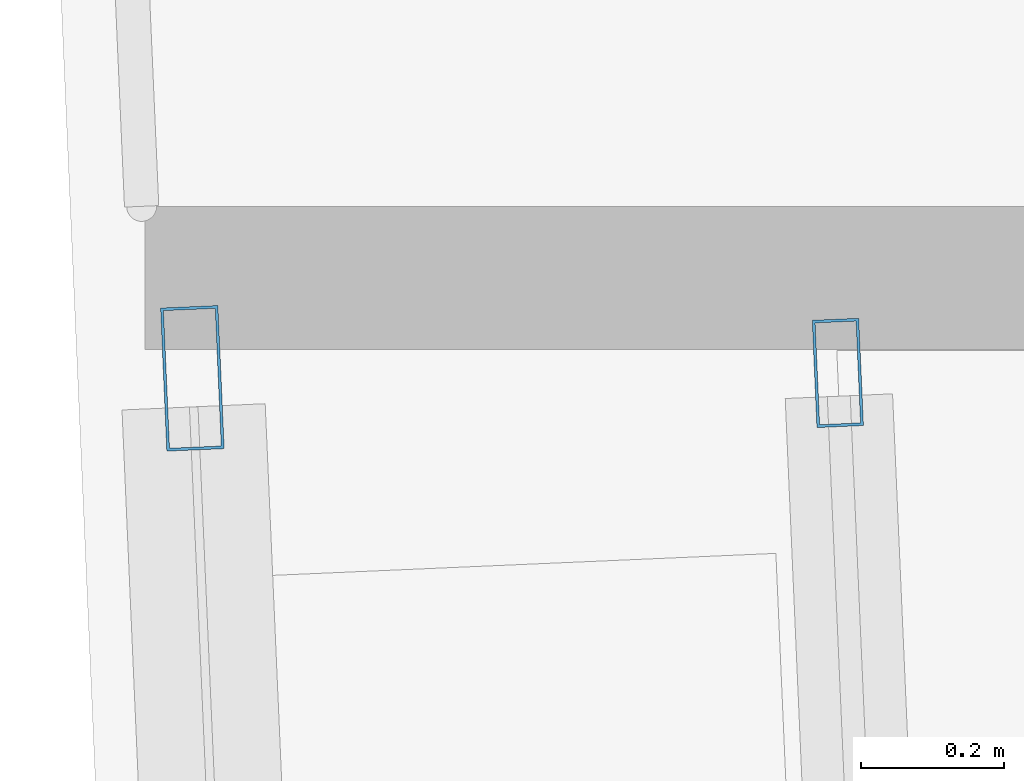
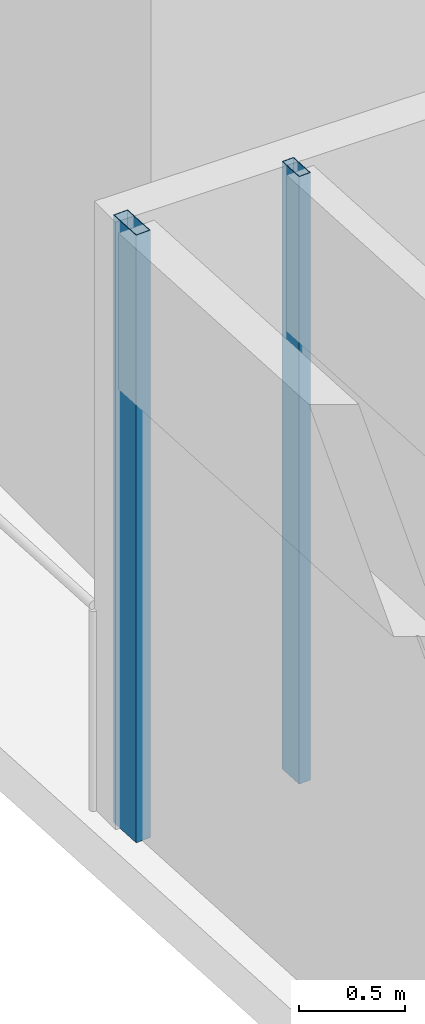
# One storey, part 4 of 42: 2 members, 2 elements without a shape of their own.
"""IFC4 building model written with IfcOpenShell, lengths in metres."""

from ifc_helpers import new_model, si_unit, direction, frame, origin, origin_2d, place, context, subcontext, project, spatial, hollow_rectangle, extrude, material, material_profile, profile_set, type_object, element, aggregate, save


model = new_model("IFC4")

# Units and contexts
model_context = context("Model", 3, precision=1e-05, world=origin(), true_north=direction((0.0, 1.0)))
body_context = subcontext(model_context, "Body", "Model", "MODEL_VIEW")
ifc_project = project(units=[si_unit("LENGTHUNIT", "METRE"), si_unit("AREAUNIT", "SQUARE_METRE"), si_unit("VOLUMEUNIT", "CUBIC_METRE"), si_unit("PLANEANGLEUNIT", "RADIAN"), si_unit("MASSUNIT", "GRAM", prefix="KILO")], contexts=[model_context])

# Site, building, storey
site_placement = place(None, origin())
site = spatial("IfcSite", under=ifc_project, at=site_placement, CompositionType="ELEMENT")
building_placement = place(site_placement, origin())
building = spatial("IfcBuilding", under=site, at=building_placement, Name="Rekha Terrace Tower", CompositionType="ELEMENT")
storey_placement = place(building_placement, frame((0.0, 0.0, 55.39990234375)))
storey = spatial("IfcBuildingStorey", under=building, at=storey_placement, Name="L13", CompositionType="ELEMENT", Elevation=55.39990234375)

# Curtain wall, member
ifc_material_1 = material(Name="Aluminium framing", Category="aluminium")
curtain_wall_type_1 = type_object("IfcCurtainWallType", Name="CW1 double skin inner glazing", PredefinedType="USERDEFINED", material=ifc_material_1)
curtain_wall_1_placement = place(storey_placement, origin())
curtain_wall_1 = element("IfcCurtainWall", 1, at=curtain_wall_1_placement, inside=storey, type_object=curtain_wall_type_1, Name="CW1 double skin inner glazing", ObjectType="DOUBLE SKIN INNER GLAZING", PredefinedType="USERDEFINED")
ifc_material_2 = material(Name="Aluminium mullion section", Category="aluminium")
ifc_material_profile_1 = material_profile(ifc_material_2, hollow_rectangle(XDim=0.06494140625, YDim=0.14990234375, WallThickness=0.00390625, at=origin_2d()), Name="AL RHS 65x150")
ifc_profile_set_1 = profile_set([ifc_material_profile_1], Name="Aluminium mullion section")
member_type_1 = type_object("IfcMemberType", Name="CW1 mullion RHS 65 x 150", PredefinedType="MULLION", material=ifc_profile_set_1)
member_1_placement = place(storey_placement, frame((7.321533203125, 14.364501953125, 0.0), z_axis=(0.0, 0.0, 1.0), x_axis=(0.999045462129, 0.043682543424, 0.0)))
member_1 = element("IfcMember", 2, at=member_1_placement, type_object=member_type_1, Name="CW1 mullion 1", PredefinedType="MULLION", context=body_context, shape_type="SweptSolid", body=[
    extrude(hollow_rectangle(XDim=0.06494140625, YDim=0.14990234375, WallThickness=0.00390625, at=origin_2d()), origin(), (0.0, 0.0, 1.0), 3.5),
])
aggregate(curtain_wall_1, [member_1])

curtain_wall_type_2 = type_object("IfcCurtainWallType", Name="CW2 double skin outer glazing", PredefinedType="USERDEFINED", material=ifc_material_1)
curtain_wall_2_placement = place(storey_placement, origin())
curtain_wall_2 = element("IfcCurtainWall", 3, at=curtain_wall_2_placement, inside=storey, type_object=curtain_wall_type_2, Name="CW2 double skin outer glazing", ObjectType="DOUBLE SKIN OUTER GLAZING", PredefinedType="USERDEFINED")
ifc_material_profile_2 = material_profile(ifc_material_2, hollow_rectangle(XDim=0.080078125, YDim=0.199951171875, WallThickness=0.00390625, at=origin_2d()), Name="AL RHS 80x200")
ifc_profile_set_2 = profile_set([ifc_material_profile_2], Name="Aluminium mullion section")
member_type_2 = type_object("IfcMemberType", Name="CW2 mullion RHS 80 x 200", PredefinedType="MULLION", material=ifc_profile_set_2)
member_2_placement = place(storey_placement, frame((6.4208984375, 14.35693359375, 0.0), z_axis=(0.0, 0.0, 1.0), x_axis=(0.99904546213, 0.04368254339, 0.0)))
member_2 = element("IfcMember", 4, at=member_2_placement, type_object=member_type_2, Name="CW2 mullion 1", PredefinedType="MULLION", context=body_context, shape_type="SweptSolid", body=[
    extrude(hollow_rectangle(XDim=0.080078125, YDim=0.199951171875, WallThickness=0.00390625, at=origin_2d()), origin(), (0.0, 0.0, 1.0), 3.5),
])
aggregate(curtain_wall_2, [member_2])

save(model, "model.ifc")
